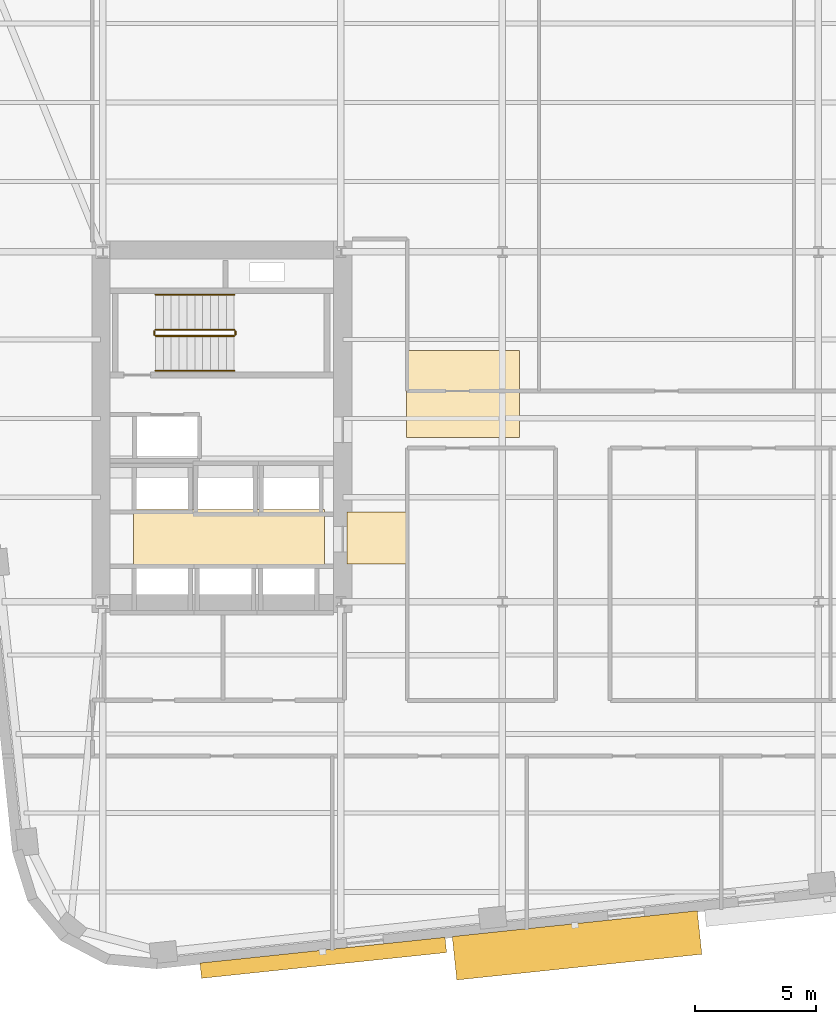
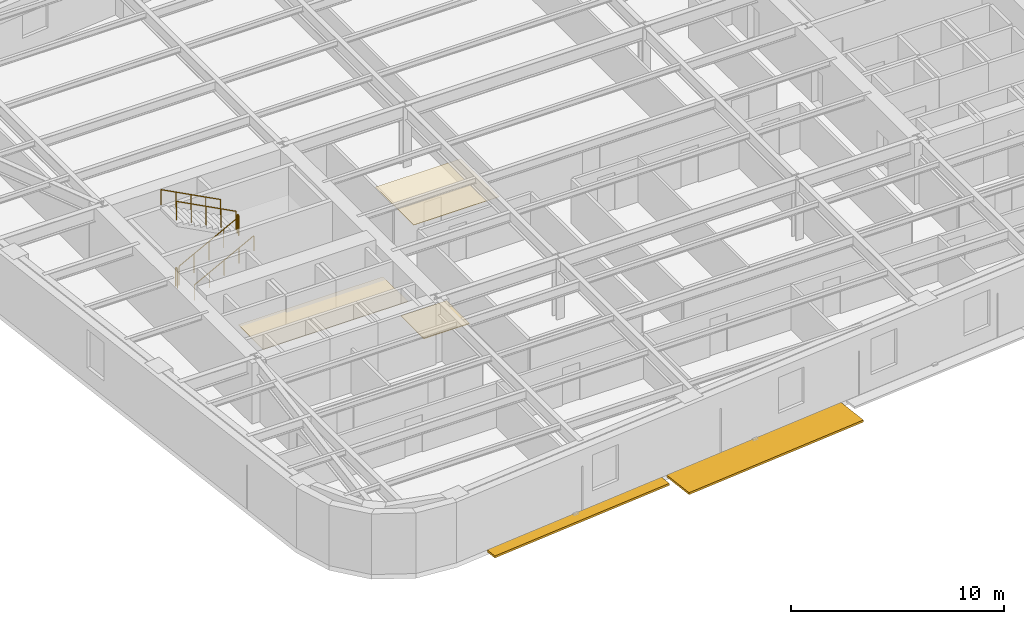
# One storey, part 8 of 11: 6 railings, 3 coverings, 2 shading devices.
"""IFC4 building model written with IfcOpenShell, lengths in metres."""

from ifc_helpers import new_model, si_unit, direction, frame, origin, origin_2d, place, context, subcontext, project, spatial, polyline, rectangle, circle, outline, extrude, material, layer, layer_set, type_object, element, save


model = new_model("IFC4")

# Units and contexts
model_context = context("Model", 3, precision=1e-05, world=origin(), true_north=direction((0.0, 1.0)))
body_context = subcontext(model_context, "Body", "Model", "MODEL_VIEW")
ifc_project = project(units=[si_unit("LENGTHUNIT", "METRE"), si_unit("AREAUNIT", "SQUARE_METRE"), si_unit("VOLUMEUNIT", "CUBIC_METRE"), si_unit("PLANEANGLEUNIT", "RADIAN"), si_unit("MASSUNIT", "GRAM", prefix="KILO")], contexts=[model_context])

# Site, building, storey
site_placement = place(None, origin())
site = spatial("IfcSite", under=ifc_project, at=site_placement, CompositionType="ELEMENT")
building_placement = place(site_placement, origin())
building = spatial("IfcBuilding", under=site, at=building_placement, Name="Kolvaren Arena Tower", CompositionType="ELEMENT")
storey_placement = place(building_placement, frame((0.0, 0.0, 103.449951171875)))
storey = spatial("IfcBuildingStorey", under=building, at=storey_placement, Name="L23", CompositionType="ELEMENT", Elevation=103.449951171875)

# Coverings
ifc_material_1 = material(Name="Mineral fibre acoustic ceiling tile", Category="gypsum")
ifc_layer_1 = layer(ifc_material_1, 0.02490234375)
ifc_layer_set_1 = layer_set([ifc_layer_1], Name="Mineral fibre acoustic ceiling tile")
covering_type_1 = type_object("IfcCoveringType", Name="CEIL-ACT-1", PredefinedType="CEILING", material=ifc_layer_set_1)
covering_1_placement = place(storey_placement, frame((0.0, 0.0, 2.52001953125)))
element("IfcCovering", 1, at=covering_1_placement, inside=storey, type_object=covering_type_1, Name="Suspended Ceiling (L23)", PredefinedType="CEILING", context=body_context, shape_type="SweptSolid", body=[
    extrude(outline(polyline([(27.050048828125, 26.199951171875), (27.050048828125, 29.800048828125), (31.699951171875, 29.800048828125), (31.699951171875, 26.199951171875), (27.050048828125, 26.199951171875)])), origin(), (0.0, 0.0, 1.0), 0.025146484375),
])
ifc_material_2 = material(Name="Moisture-resistant gypsum ceiling", Category="gypsum")
ifc_layer_2 = layer(ifc_material_2, 0.030029296875)
ifc_layer_set_2 = layer_set([ifc_layer_2], Name="Moisture-resistant gypsum ceiling")
covering_type_2 = type_object("IfcCoveringType", Name="CEIL-GYP-1", PredefinedType="CEILING", material=ifc_layer_set_2)
covering_2_placement = place(storey_placement, frame((0.0, 0.0, 2.52001953125)))
element("IfcCovering", 2, at=covering_2_placement, inside=storey, type_object=covering_type_2, Name="Suspended Ceiling (L23)", PredefinedType="CEILING", context=body_context, shape_type="SweptSolid", body=[
    extrude(outline(polyline([(15.820068359375, 20.89990234375), (15.820068359375, 23.239990234375), (23.679931640625, 23.239990234375), (23.679931640625, 20.89990234375), (15.820068359375, 20.89990234375)])), origin(), (0.0, 0.0, 1.0), 0.030029296875),
])
ifc_material_3 = material(Name="Raised access office floor finish", Category="aluminium")
ifc_layer_3 = layer(ifc_material_3, 0.044921875)
ifc_layer_set_3 = layer_set([ifc_layer_3], Name="Raised access office floor finish")
covering_type_3 = type_object("IfcCoveringType", Name="FLOR-RAF-1", PredefinedType="FLOORING", material=ifc_layer_set_3)
covering_3_placement = place(storey_placement, origin())
element("IfcCovering", 3, at=covering_3_placement, inside=storey, type_object=covering_type_3, Name="Floor Finish (L23)", PredefinedType="FLOORING", context=body_context, shape_type="SweptSolid", body=[
    extrude(outline(polyline([(24.60009765625, 21.0), (24.60009765625, 23.14990234375), (27.080078125, 23.14990234375), (27.080078125, 21.0), (24.60009765625, 21.0)])), origin(), (0.0, 0.0, 1.0), 0.045166015625),
])

# Railings
ifc_material_4 = material(Name="Painted galvanized steel", Category="steel")
railing_type_1 = type_object("IfcRailingType", Name="GUARD-ST-110", PredefinedType="GUARDRAIL", material=ifc_material_4)
railing_1_placement = place(storey_placement, frame((16.719970703125, 30.389892578125, 0.17041015625)))
element("IfcRailing", 4, at=railing_1_placement, inside=storey, type_object=railing_type_1, Name="L23 ST-W1 stair guard 1", PredefinedType="GUARDRAIL", context=body_context, shape_type="SweptSolid", body=[
    extrude(circle(Radius=0.02392578125, at=origin_2d()), frame((0.0, 0.0, 1.076171875), z_axis=(0.884993431791, 0.0, 0.465603506952), x_axis=(0.0, 1.0, 0.0)), (0.0, 0.0, 1.0), 3.6611328125),
    extrude(circle(Radius=0.02099609375, at=origin_2d()), origin(), (0.0, 0.0, 1.0), 1.052001953125),
    extrude(circle(Radius=0.02099609375, at=origin_2d()), frame((0.81005859375, 0.0, 0.42626953125)), (0.0, 0.0, 1.0), 1.052001953125),
    extrude(circle(Radius=0.02099609375, at=origin_2d()), frame((1.6201171875, 0.0, 0.852294921875)), (0.0, 0.0, 1.0), 1.052001953125),
    extrude(circle(Radius=0.02099609375, at=origin_2d()), frame((2.429931640625, 0.0, 1.2783203125)), (0.0, 0.0, 1.0), 1.052001953125),
    extrude(circle(Radius=0.02099609375, at=origin_2d()), frame((3.239990234375, 0.0, 1.70458984375)), (0.0, 0.0, 1.0), 1.052001953125),
])
railing_2_placement = place(storey_placement, frame((20.010009765625, 30.43994140625, 1.875)))
element("IfcRailing", 5, at=railing_2_placement, inside=storey, type_object=railing_type_1, Name="L23 ST-W1 stair guard 2", PredefinedType="GUARDRAIL", context=body_context, shape_type="SweptSolid", body=[
    extrude(circle(Radius=0.02392578125, at=origin_2d()), frame((0.0, 0.0, 1.076171875), z_axis=(0.0, 1.0, 0.0), x_axis=(-1.0, 0.0, 0.0)), (0.0, 0.0, 1.0), 0.150146484375),
    extrude(circle(Radius=0.02099609375, at=origin_2d()), origin(), (0.0, 0.0, 1.0), 1.052001953125),
    extrude(circle(Radius=0.02099609375, at=origin_2d()), frame((0.0, 0.150146484375, 0.0)), (0.0, 0.0, 1.0), 1.052001953125),
])
railing_3_placement = place(storey_placement, frame((19.9599609375, 30.639892578125, 2.04541015625)))
element("IfcRailing", 6, at=railing_3_placement, inside=storey, type_object=railing_type_1, Name="L23 ST-W1 stair guard 3", PredefinedType="GUARDRAIL", context=body_context, shape_type="SweptSolid", body=[
    extrude(circle(Radius=0.02392578125, at=origin_2d()), frame((0.0, 0.0, 1.076171875), z_axis=(-0.884993431791, 0.0, 0.465603506952), x_axis=(0.0, -1.0, 0.0)), (0.0, 0.0, 1.0), 3.6611328125),
    extrude(circle(Radius=0.02099609375, at=origin_2d()), origin(), (0.0, 0.0, 1.0), 1.052001953125),
    extrude(circle(Radius=0.02099609375, at=origin_2d()), frame((-0.81005859375, 0.0, 0.42626953125)), (0.0, 0.0, 1.0), 1.052001953125),
    extrude(circle(Radius=0.02099609375, at=origin_2d()), frame((-1.6201171875, 0.0, 0.852294921875)), (0.0, 0.0, 1.0), 1.052001953125),
    extrude(circle(Radius=0.02099609375, at=origin_2d()), frame((-2.429931640625, 0.0, 1.2783203125)), (0.0, 0.0, 1.0), 1.052001953125),
    extrude(circle(Radius=0.02099609375, at=origin_2d()), frame((-3.239990234375, 0.0, 1.70458984375)), (0.0, 0.0, 1.0), 1.052001953125),
])
railing_4_placement = place(storey_placement, frame((16.669921875, 30.43994140625, 0.0)))
element("IfcRailing", 7, at=railing_4_placement, inside=storey, type_object=railing_type_1, Name="L23 ST-W1 stair guard 4", PredefinedType="GUARDRAIL", context=body_context, shape_type="SweptSolid", body=[
    extrude(circle(Radius=0.02392578125, at=origin_2d()), frame((0.0, 0.0, 1.076171875), z_axis=(0.0, 1.0, 0.0), x_axis=(-1.0, 0.0, 0.0)), (0.0, 0.0, 1.0), 0.150146484375),
    extrude(circle(Radius=0.02099609375, at=origin_2d()), origin(), (0.0, 0.0, 1.0), 1.052001953125),
    extrude(circle(Radius=0.02099609375, at=origin_2d()), frame((0.0, 0.150146484375, 0.0)), (0.0, 0.0, 1.0), 1.052001953125),
])
ifc_material_5 = material(Name="Brushed stainless steel handrail", Category="steel")
railing_type_2 = type_object("IfcRailingType", Name="HRAIL-900", PredefinedType="HANDRAIL", material=ifc_material_5)
railing_5_placement = place(storey_placement, frame((16.719970703125, 28.949951171875, 0.17041015625)))
element("IfcRailing", 8, at=railing_5_placement, inside=storey, type_object=railing_type_2, Name="L23 ST-W1 stair handrail 1", PredefinedType="HANDRAIL", context=body_context, shape_type="SweptSolid", body=[
    extrude(circle(Radius=0.02392578125, at=origin_2d()), frame((0.0, 0.0, 0.8759765625), z_axis=(0.884993431791, 0.0, 0.465603506952), x_axis=(0.0, 1.0, 0.0)), (0.0, 0.0, 1.0), 3.6611328125),
    extrude(circle(Radius=0.02099609375, at=origin_2d()), origin(), (0.0, 0.0, 1.0), 0.851806640625),
    extrude(circle(Radius=0.02099609375, at=origin_2d()), frame((0.81005859375, 0.0, 0.42626953125)), (0.0, 0.0, 1.0), 0.851806640625),
    extrude(circle(Radius=0.02099609375, at=origin_2d()), frame((1.6201171875, 0.0, 0.852294921875)), (0.0, 0.0, 1.0), 0.851806640625),
    extrude(circle(Radius=0.02099609375, at=origin_2d()), frame((2.429931640625, 0.0, 1.2783203125)), (0.0, 0.0, 1.0), 0.851806640625),
    extrude(circle(Radius=0.02099609375, at=origin_2d()), frame((3.239990234375, 0.0, 1.70458984375)), (0.0, 0.0, 1.0), 0.851806640625),
])
railing_6_placement = place(storey_placement, frame((19.9599609375, 32.080078125, 2.04541015625)))
element("IfcRailing", 9, at=railing_6_placement, inside=storey, type_object=railing_type_2, Name="L23 ST-W1 stair handrail 2", PredefinedType="HANDRAIL", context=body_context, shape_type="SweptSolid", body=[
    extrude(circle(Radius=0.02392578125, at=origin_2d()), frame((0.0, 0.0, 0.8759765625), z_axis=(-0.884993431791, 0.0, 0.465603506952), x_axis=(0.0, -1.0, 0.0)), (0.0, 0.0, 1.0), 3.6611328125),
    extrude(circle(Radius=0.02099609375, at=origin_2d()), origin(), (0.0, 0.0, 1.0), 0.851806640625),
    extrude(circle(Radius=0.02099609375, at=origin_2d()), frame((-0.81005859375, 0.0, 0.42626953125)), (0.0, 0.0, 1.0), 0.851806640625),
    extrude(circle(Radius=0.02099609375, at=origin_2d()), frame((-1.6201171875, 0.0, 0.852294921875)), (0.0, 0.0, 1.0), 0.851806640625),
    extrude(circle(Radius=0.02099609375, at=origin_2d()), frame((-2.429931640625, 0.0, 1.2783203125)), (0.0, 0.0, 1.0), 0.851806640625),
    extrude(circle(Radius=0.02099609375, at=origin_2d()), frame((-3.239990234375, 0.0, 1.70458984375)), (0.0, 0.0, 1.0), 0.851806640625),
])

# Shading devices
ifc_material_6 = material(Name="Architectural precast GFRC and anodised aluminium sunshade", Category="concrete")
shading_device_type_1 = type_object("IfcShadingDeviceType", Name="SHAD-SINE-A", PredefinedType="USERDEFINED", material=ifc_material_6)
shading_device_1_placement = place(storey_placement, frame((23.6259765625, 4.794677734375, -0.139892578125), z_axis=(0.0, 0.0, 1.0), x_axis=(-0.994522077803, -0.104526727499, 0.0)))
element("IfcShadingDevice", 10, at=shading_device_1_placement, inside=storey, type_object=shading_device_type_1, Name="Sinusoidal Slab-Edge Sunshade Louvre (L23)", ObjectType="LOUVRE", PredefinedType="USERDEFINED", context=body_context, shape_type="SweptSolid", body=[
    extrude(rectangle(XDim=10.139892578125, YDim=0.6328125, at=origin_2d()), origin(), (0.0, 0.0, 1.0), 0.1201171875),
])
shading_device_type_2 = type_object("IfcShadingDeviceType", Name="SHAD-SINE-B", PredefinedType="JALOUSIE", material=ifc_material_6)
shading_device_2_placement = place(storey_placement, frame((34.06982421875, 5.305908203125, -0.139892578125), z_axis=(0.0, 0.0, 1.0), x_axis=(-0.994522077803, -0.104526727499, 0.0)))
element("IfcShadingDevice", 11, at=shading_device_2_placement, inside=storey, type_object=shading_device_type_2, Name="Sinusoidal Slab-Edge Sunshade Louvre (L23)", PredefinedType="JALOUSIE", context=body_context, shape_type="SweptSolid", body=[
    extrude(rectangle(XDim=10.139892578125, YDim=1.79931640625, at=origin_2d()), origin(), (0.0, 0.0, 1.0), 0.1201171875),
])

save(model, "model.ifc")
